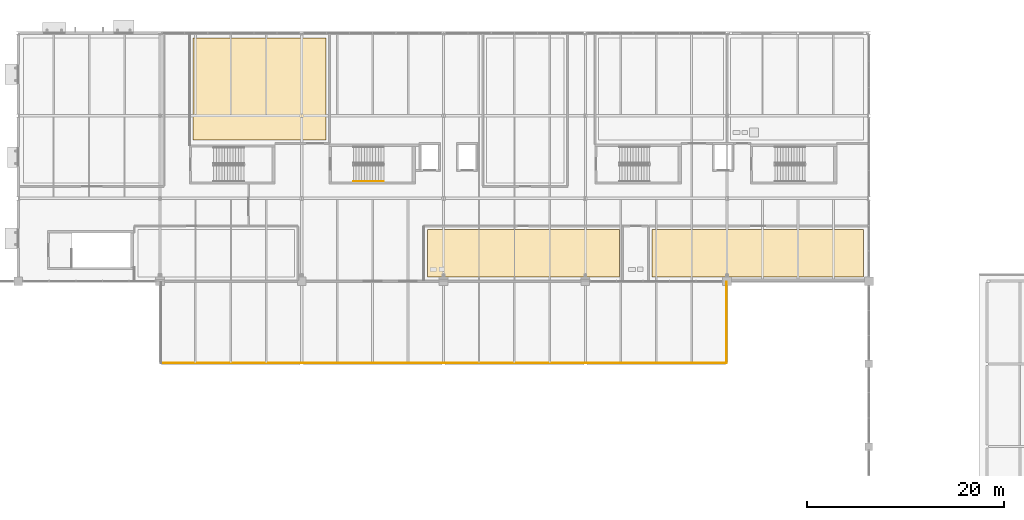
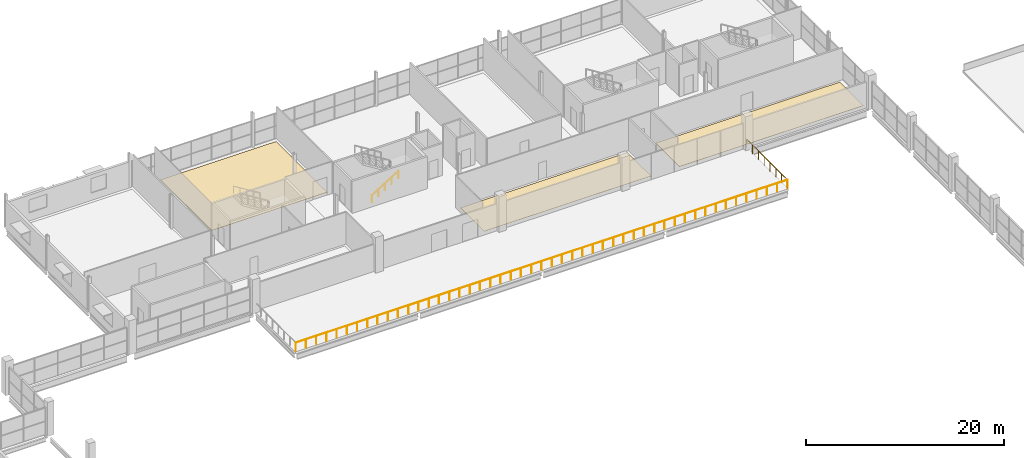
# One storey, part 90 of 93: 3 coverings, 3 railings.
"""IFC4 building model written with IfcOpenShell, lengths in metres."""

from ifc_helpers import new_model, si_unit, direction, frame, origin, origin_2d, place, context, subcontext, project, spatial, polyline, circle, outline, extrude, material, layer, layer_set, type_object, element, save


model = new_model("IFC4")

# Units and contexts
model_context = context("Model", 3, precision=1e-05, world=origin(), true_north=direction((0.0, 1.0)))
body_context = subcontext(model_context, "Body", "Model", "MODEL_VIEW")
ifc_project = project(units=[si_unit("LENGTHUNIT", "METRE"), si_unit("AREAUNIT", "SQUARE_METRE"), si_unit("VOLUMEUNIT", "CUBIC_METRE"), si_unit("PLANEANGLEUNIT", "RADIAN"), si_unit("MASSUNIT", "GRAM", prefix="KILO"), si_unit("THERMODYNAMICTEMPERATUREUNIT", "KELVIN")], contexts=[model_context])

# Site, building, storey
site_placement = place(None, origin())
site = spatial("IfcSite", under=ifc_project, at=site_placement, CompositionType="ELEMENT")
building_placement = place(site_placement, origin())
building = spatial("IfcBuilding", under=site, at=building_placement, Name="Nduvali Passage Aquatics Centre", CompositionType="ELEMENT")
storey_placement = place(building_placement, frame((0.0, 0.0, 9.0)))
storey = spatial("IfcBuildingStorey", under=building, at=storey_placement, Name="L02", CompositionType="ELEMENT", Elevation=9.0)

# Coverings
ifc_material_1 = material(Name="Polished coral-aggregate terrazzo")
ifc_layer_1 = layer(ifc_material_1, 0.030029296875, Name="Polished coral-aggregate terrazzo")
ifc_layer_set_1 = layer_set([ifc_layer_1], Name="Polished coral-aggregate terrazzo")
covering_type_1 = type_object("IfcCoveringType", Name="INT-COV-TERRAZZO", PredefinedType="FLOORING", material=ifc_layer_set_1)
covering_1_placement = place(storey_placement, origin())
element("IfcCovering", 1, at=covering_1_placement, inside=storey, type_object=covering_type_1, Name="L02 Indoor Cycling and HIIT Group Studio 2 Floor Finish", PredefinedType="FLOORING", context=body_context, shape_type="SweptSolid", body=[
    extrude(outline(polyline([(57.35009765625, 106.75), (70.85009765625, 106.75), (70.85009765625, 117.090087890625), (57.35009765625, 117.090087890625), (57.35009765625, 106.75)])), origin(), (0.0, 0.0, 1.0), 0.030029296875),
])
covering_2_placement = place(storey_placement, origin())
element("IfcCovering", 2, at=covering_2_placement, inside=storey, type_object=covering_type_1, Name="L02 Clinical Diagnostics and Rehab Equipment Store Floor Finish", PredefinedType="FLOORING", context=body_context, shape_type="SweptSolid", body=[
    extrude(outline(polyline([(103.949951171875, 92.85009765625), (125.449951171875, 92.85009765625), (125.449951171875, 97.64990234375), (103.949951171875, 97.64990234375), (103.949951171875, 92.85009765625)])), origin(), (0.0, 0.0, 1.0), 0.030029296875),
])
ifc_material_2 = material(Name="Anti-slip ceramic pool deck tile")
ifc_layer_2 = layer(ifc_material_2, 0.02490234375, Name="Anti-slip ceramic pool deck tile")
ifc_layer_set_2 = layer_set([ifc_layer_2], Name="Anti-slip ceramic pool deck tile")
covering_type_2 = type_object("IfcCoveringType", Name="INT-COV-TILE", PredefinedType="FLOORING", material=ifc_layer_set_2)
covering_3_placement = place(storey_placement, origin())
element("IfcCovering", 3, at=covering_3_placement, inside=storey, type_object=covering_type_2, Name="L02 L02 Clinic and Studio Public Toilets Floor Finish", PredefinedType="FLOORING", context=body_context, shape_type="SweptSolid", body=[
    extrude(outline(polyline([(81.14990234375, 92.85009765625), (100.64990234375, 92.85009765625), (100.64990234375, 97.64990234375), (81.14990234375, 97.64990234375), (81.14990234375, 92.85009765625)])), origin(), (0.0, 0.0, 1.0), 0.02490234375),
])

# Railings
ifc_material_3 = material(Name="Stainless steel balustrade", Category="steel")
railing_type_1 = type_object("IfcRailingType", Name="INT-RLG-GRD110", PredefinedType="GUARDRAIL", material=ifc_material_3)
railing_1_placement = place(storey_placement, frame((54.080078125, 84.080078125, 0.0)))
element("IfcRailing", 4, at=railing_1_placement, inside=storey, type_object=railing_type_1, Name="L02 Media Overlook Gallery Balustrade", PredefinedType="GUARDRAIL", context=body_context, shape_type="SweptSolid", body=[
    extrude(circle(Radius=0.02392578125, at=origin_2d()), frame((0.0, 0.0, 1.076171875), z_axis=(1.0, 0.0, 0.0), x_axis=(0.0, 1.0, 0.0)), (0.0, 0.0, 1.0), 57.43994140625),
    extrude(circle(Radius=0.02099609375, at=origin_2d()), origin(), (0.0, 0.0, 1.0), 1.052001953125),
    extrude(circle(Radius=0.02099609375, at=origin_2d()), frame((1.19677734375, 0.0, 0.0)), (0.0, 0.0, 1.0), 1.052001953125),
    extrude(circle(Radius=0.02099609375, at=origin_2d()), frame((2.393310546875, 0.0, 0.0)), (0.0, 0.0, 1.0), 1.052001953125),
    extrude(circle(Radius=0.02099609375, at=origin_2d()), frame((3.590087890625, 0.0, 0.0)), (0.0, 0.0, 1.0), 1.052001953125),
    extrude(circle(Radius=0.02099609375, at=origin_2d()), frame((4.78662109375, 0.0, 0.0)), (0.0, 0.0, 1.0), 1.052001953125),
    extrude(circle(Radius=0.02099609375, at=origin_2d()), frame((5.9833984375, 0.0, 0.0)), (0.0, 0.0, 1.0), 1.052001953125),
    extrude(circle(Radius=0.02099609375, at=origin_2d()), frame((7.179931640625, 0.0, 0.0)), (0.0, 0.0, 1.0), 1.052001953125),
    extrude(circle(Radius=0.02099609375, at=origin_2d()), frame((8.376708984375, 0.0, 0.0)), (0.0, 0.0, 1.0), 1.052001953125),
    extrude(circle(Radius=0.02099609375, at=origin_2d()), frame((9.5732421875, 0.0, 0.0)), (0.0, 0.0, 1.0), 1.052001953125),
    extrude(circle(Radius=0.02099609375, at=origin_2d()), frame((10.77001953125, 0.0, 0.0)), (0.0, 0.0, 1.0), 1.052001953125),
    extrude(circle(Radius=0.02099609375, at=origin_2d()), frame((11.966552734375, 0.0, 0.0)), (0.0, 0.0, 1.0), 1.052001953125),
    extrude(circle(Radius=0.02099609375, at=origin_2d()), frame((13.163330078125, 0.0, 0.0)), (0.0, 0.0, 1.0), 1.052001953125),
    extrude(circle(Radius=0.02099609375, at=origin_2d()), frame((14.35986328125, 0.0, 0.0)), (0.0, 0.0, 1.0), 1.052001953125),
    extrude(circle(Radius=0.02099609375, at=origin_2d()), frame((15.556640625, 0.0, 0.0)), (0.0, 0.0, 1.0), 1.052001953125),
    extrude(circle(Radius=0.02099609375, at=origin_2d()), frame((16.75341796875, 0.0, 0.0)), (0.0, 0.0, 1.0), 1.052001953125),
    extrude(circle(Radius=0.02099609375, at=origin_2d()), frame((17.949951171875, 0.0, 0.0)), (0.0, 0.0, 1.0), 1.052001953125),
    extrude(circle(Radius=0.02099609375, at=origin_2d()), frame((19.146728515625, 0.0, 0.0)), (0.0, 0.0, 1.0), 1.052001953125),
    extrude(circle(Radius=0.02099609375, at=origin_2d()), frame((20.34326171875, 0.0, 0.0)), (0.0, 0.0, 1.0), 1.052001953125),
    extrude(circle(Radius=0.02099609375, at=origin_2d()), frame((21.5400390625, 0.0, 0.0)), (0.0, 0.0, 1.0), 1.052001953125),
    extrude(circle(Radius=0.02099609375, at=origin_2d()), frame((22.736572265625, 0.0, 0.0)), (0.0, 0.0, 1.0), 1.052001953125),
    extrude(circle(Radius=0.02099609375, at=origin_2d()), frame((23.933349609375, 0.0, 0.0)), (0.0, 0.0, 1.0), 1.052001953125),
    extrude(circle(Radius=0.02099609375, at=origin_2d()), frame((25.1298828125, 0.0, 0.0)), (0.0, 0.0, 1.0), 1.052001953125),
    extrude(circle(Radius=0.02099609375, at=origin_2d()), frame((26.32666015625, 0.0, 0.0)), (0.0, 0.0, 1.0), 1.052001953125),
    extrude(circle(Radius=0.02099609375, at=origin_2d()), frame((27.523193359375, 0.0, 0.0)), (0.0, 0.0, 1.0), 1.052001953125),
    extrude(circle(Radius=0.02099609375, at=origin_2d()), frame((28.719970703125, 0.0, 0.0)), (0.0, 0.0, 1.0), 1.052001953125),
    extrude(circle(Radius=0.02099609375, at=origin_2d()), frame((29.916748046875, 0.0, 0.0)), (0.0, 0.0, 1.0), 1.052001953125),
    extrude(circle(Radius=0.02099609375, at=origin_2d()), frame((31.11328125, 0.0, 0.0)), (0.0, 0.0, 1.0), 1.052001953125),
    extrude(circle(Radius=0.02099609375, at=origin_2d()), frame((32.31005859375, 0.0, 0.0)), (0.0, 0.0, 1.0), 1.052001953125),
    extrude(circle(Radius=0.02099609375, at=origin_2d()), frame((33.506591796875, 0.0, 0.0)), (0.0, 0.0, 1.0), 1.052001953125),
    extrude(circle(Radius=0.02099609375, at=origin_2d()), frame((34.703369140625, 0.0, 0.0)), (0.0, 0.0, 1.0), 1.052001953125),
    extrude(circle(Radius=0.02099609375, at=origin_2d()), frame((35.89990234375, 0.0, 0.0)), (0.0, 0.0, 1.0), 1.052001953125),
    extrude(circle(Radius=0.02099609375, at=origin_2d()), frame((37.0966796875, 0.0, 0.0)), (0.0, 0.0, 1.0), 1.052001953125),
    extrude(circle(Radius=0.02099609375, at=origin_2d()), frame((38.293212890625, 0.0, 0.0)), (0.0, 0.0, 1.0), 1.052001953125),
    extrude(circle(Radius=0.02099609375, at=origin_2d()), frame((39.489990234375, 0.0, 0.0)), (0.0, 0.0, 1.0), 1.052001953125),
    extrude(circle(Radius=0.02099609375, at=origin_2d()), frame((40.6865234375, 0.0, 0.0)), (0.0, 0.0, 1.0), 1.052001953125),
    extrude(circle(Radius=0.02099609375, at=origin_2d()), frame((41.88330078125, 0.0, 0.0)), (0.0, 0.0, 1.0), 1.052001953125),
    extrude(circle(Radius=0.02099609375, at=origin_2d()), frame((43.080078125, 0.0, 0.0)), (0.0, 0.0, 1.0), 1.052001953125),
    extrude(circle(Radius=0.02099609375, at=origin_2d()), frame((44.276611328125, 0.0, 0.0)), (0.0, 0.0, 1.0), 1.052001953125),
    extrude(circle(Radius=0.02099609375, at=origin_2d()), frame((45.473388671875, 0.0, 0.0)), (0.0, 0.0, 1.0), 1.052001953125),
    extrude(circle(Radius=0.02099609375, at=origin_2d()), frame((46.669921875, 0.0, 0.0)), (0.0, 0.0, 1.0), 1.052001953125),
    extrude(circle(Radius=0.02099609375, at=origin_2d()), frame((47.86669921875, 0.0, 0.0)), (0.0, 0.0, 1.0), 1.052001953125),
    extrude(circle(Radius=0.02099609375, at=origin_2d()), frame((49.063232421875, 0.0, 0.0)), (0.0, 0.0, 1.0), 1.052001953125),
    extrude(circle(Radius=0.02099609375, at=origin_2d()), frame((50.260009765625, 0.0, 0.0)), (0.0, 0.0, 1.0), 1.052001953125),
    extrude(circle(Radius=0.02099609375, at=origin_2d()), frame((51.45654296875, 0.0, 0.0)), (0.0, 0.0, 1.0), 1.052001953125),
    extrude(circle(Radius=0.02099609375, at=origin_2d()), frame((52.6533203125, 0.0, 0.0)), (0.0, 0.0, 1.0), 1.052001953125),
    extrude(circle(Radius=0.02099609375, at=origin_2d()), frame((53.849853515625, 0.0, 0.0)), (0.0, 0.0, 1.0), 1.052001953125),
    extrude(circle(Radius=0.02099609375, at=origin_2d()), frame((55.046630859375, 0.0, 0.0)), (0.0, 0.0, 1.0), 1.052001953125),
    extrude(circle(Radius=0.02099609375, at=origin_2d()), frame((56.2431640625, 0.0, 0.0)), (0.0, 0.0, 1.0), 1.052001953125),
    extrude(circle(Radius=0.02099609375, at=origin_2d()), frame((57.43994140625, 0.0, 0.0)), (0.0, 0.0, 1.0), 1.052001953125),
])
railing_2_placement = place(storey_placement, frame((111.52001953125, 84.080078125, 0.0)))
element("IfcRailing", 5, at=railing_2_placement, inside=storey, type_object=railing_type_1, Name="L02 Media Gallery East End Guard", PredefinedType="GUARDRAIL", context=body_context, shape_type="SweptSolid", body=[
    extrude(circle(Radius=0.02392578125, at=origin_2d()), frame((0.0, 0.0, 1.076171875), z_axis=(0.0, 1.0, 0.0), x_axis=(-1.0, 0.0, 0.0)), (0.0, 0.0, 1.0), 8.239990234375),
    extrude(circle(Radius=0.02099609375, at=origin_2d()), origin(), (0.0, 0.0, 1.0), 1.052001953125),
    extrude(circle(Radius=0.02099609375, at=origin_2d()), frame((0.0, 1.17724609375, 0.0)), (0.0, 0.0, 1.0), 1.052001953125),
    extrude(circle(Radius=0.02099609375, at=origin_2d()), frame((0.0, 2.354248046875, 0.0)), (0.0, 0.0, 1.0), 1.052001953125),
    extrude(circle(Radius=0.02099609375, at=origin_2d()), frame((0.0, 3.531494140625, 0.0)), (0.0, 0.0, 1.0), 1.052001953125),
    extrude(circle(Radius=0.02099609375, at=origin_2d()), frame((0.0, 4.70849609375, 0.0)), (0.0, 0.0, 1.0), 1.052001953125),
    extrude(circle(Radius=0.02099609375, at=origin_2d()), frame((0.0, 5.8857421875, 0.0)), (0.0, 0.0, 1.0), 1.052001953125),
    extrude(circle(Radius=0.02099609375, at=origin_2d()), frame((0.0, 7.062744140625, 0.0)), (0.0, 0.0, 1.0), 1.052001953125),
    extrude(circle(Radius=0.02099609375, at=origin_2d()), frame((0.0, 8.239990234375, 0.0)), (0.0, 0.0, 1.0), 1.052001953125),
])
railing_type_2 = type_object("IfcRailingType", Name="INT-RLG-HND90", PredefinedType="HANDRAIL", material=ifc_material_3)
railing_3_placement = place(storey_placement, frame((73.64990234375, 102.550048828125, 0.353759765625)))
element("IfcRailing", 6, at=railing_3_placement, inside=storey, type_object=railing_type_2, Name="L02 ST1 stair handrail 1", PredefinedType="HANDRAIL", context=body_context, shape_type="SweptSolid", body=[
    extrude(circle(Radius=0.02392578125, at=origin_2d()), frame((0.0, 0.0, 0.8759765625), z_axis=(0.848028513186, 0.0, 0.529950602248), x_axis=(0.0, 1.0, 0.0)), (0.0, 0.0, 1.0), 3.632080078125),
    extrude(circle(Radius=0.02099609375, at=origin_2d()), origin(), (0.0, 0.0, 1.0), 0.851806640625),
    extrude(circle(Radius=0.02099609375, at=origin_2d()), frame((0.77001953125, 0.0, 0.481201171875)), (0.0, 0.0, 1.0), 0.851806640625),
    extrude(circle(Radius=0.02099609375, at=origin_2d()), frame((1.5400390625, 0.0, 0.96240234375)), (0.0, 0.0, 1.0), 0.851806640625),
    extrude(circle(Radius=0.02099609375, at=origin_2d()), frame((2.31005859375, 0.0, 1.443603515625)), (0.0, 0.0, 1.0), 0.851806640625),
    extrude(circle(Radius=0.02099609375, at=origin_2d()), frame((3.080078125, 0.0, 1.9248046875)), (0.0, 0.0, 1.0), 0.851806640625),
])

save(model, "model.ifc")
